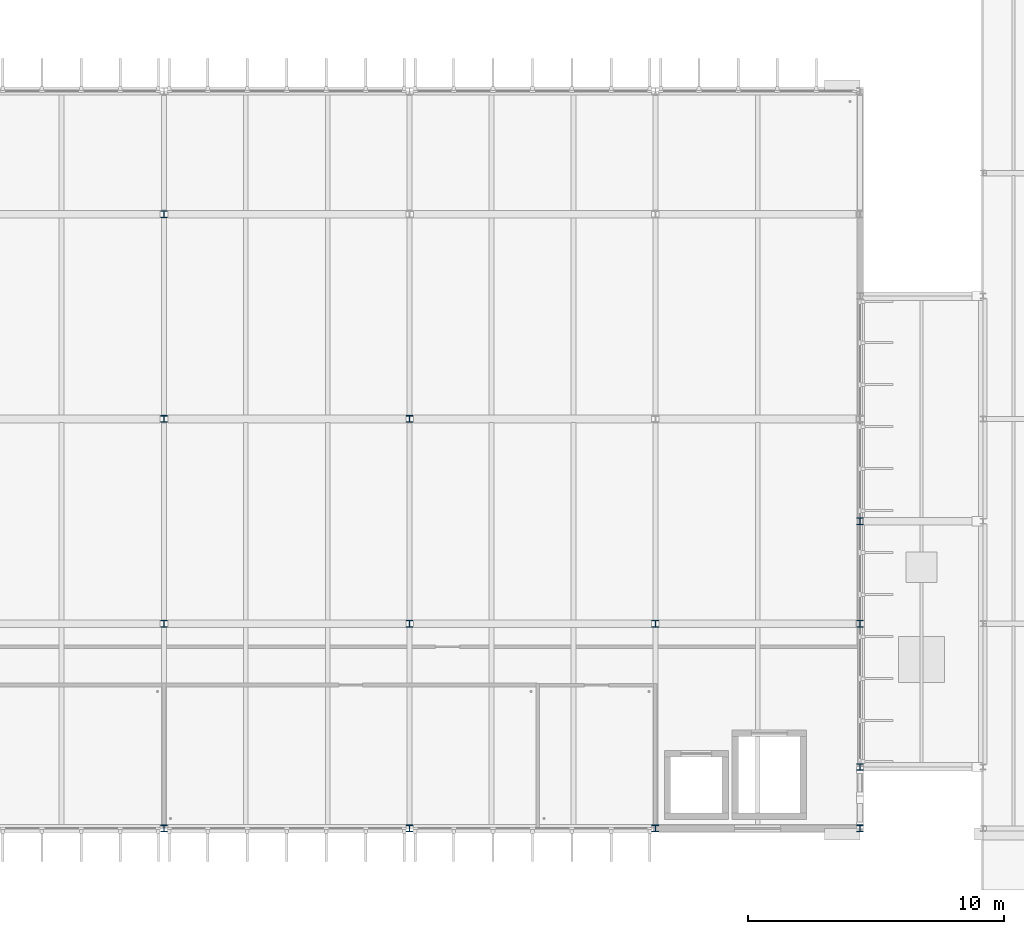
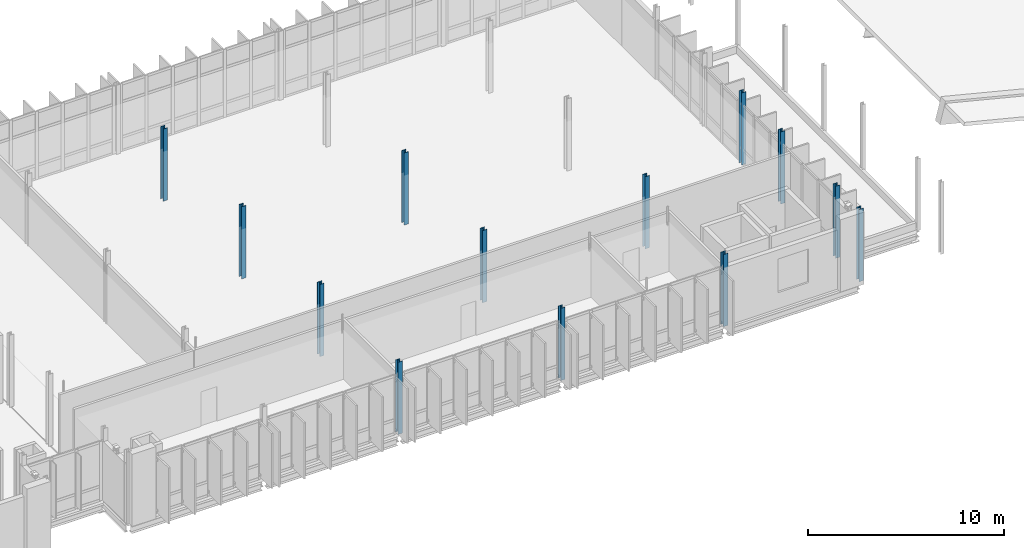
# One storey, part 7 of 93: 13 columns.
"""IFC4 building model written with IfcOpenShell, lengths in metres."""

from ifc_helpers import new_model, si_unit, direction, frame, origin, origin_2d, place, context, subcontext, project, spatial, i_section, extrude, material, material_profile, profile_set, type_object, element, save


model = new_model("IFC4")

# Units and contexts
model_context = context("Model", 3, precision=1e-05, world=origin(), true_north=direction((0.0, 1.0)))
body_context = subcontext(model_context, "Body", "Model", "MODEL_VIEW")
ifc_project = project(units=[si_unit("LENGTHUNIT", "METRE"), si_unit("AREAUNIT", "SQUARE_METRE"), si_unit("VOLUMEUNIT", "CUBIC_METRE"), si_unit("PLANEANGLEUNIT", "RADIAN"), si_unit("MASSUNIT", "GRAM", prefix="KILO")], contexts=[model_context])

# Site, building, storey
site_placement = place(None, origin())
site = spatial("IfcSite", under=ifc_project, at=site_placement, CompositionType="ELEMENT")
building_placement = place(site_placement, origin())
building = spatial("IfcBuilding", under=site, at=building_placement, Name="Dunescarp Central Library", CompositionType="ELEMENT")
storey_placement = place(building_placement, frame((0.0, 0.0, 14.10009765625)))
storey = spatial("IfcBuildingStorey", under=building, at=storey_placement, Name="L03", CompositionType="ELEMENT", Elevation=14.10009765625)

# Columns
ifc_material = material(Name="Steel S355JR", Category="steel")
ifc_material_profile_1 = material_profile(ifc_material, i_section(OverallWidth=0.26123046875, OverallDepth=0.2763671875, WebThickness=0.015380859375, FlangeThickness=0.025390625, at=origin_2d()), Name="UC 254x254x132")
ifc_profile_set_1 = profile_set([ifc_material_profile_1], Name="Steel S355JR")
column_type_1 = type_object("IfcColumnType", Name="STR-COL-UC254X132", PredefinedType="COLUMN", material=ifc_profile_set_1)
for number, where, z_axis, x_axis, name in (
    (1, (97.60009765625, 4.800048828125, 0.0), (0.0, 0.0, 1.0), (1.0, 0.0, 0.0), "L03 column V3-976-48"),
    (2, (97.60009765625, 12.800048828125, 0.0), (0.0, 0.0, 1.0), (1.0, 0.0, 0.0), "L03 column V3-976-128"),
    (3, (97.60009765625, 20.800048828125, 0.0), (0.0, 0.0, 1.0), (1.0, 0.0, 0.0), "L03 column V3-976-208"),
    (4, (97.60009765625, 28.800048828125, 0.0), (0.0, 0.0, 1.0), (1.0, 0.0, 0.0), "L03 column V3-976-288"),
    (5, (107.199951171875, 4.800048828125, 0.0), (0.0, 0.0, 1.0), (1.0, 0.0, 0.0), "L03 column V3-1072-48"),
    (6, (107.199951171875, 12.800048828125, 0.0), (0.0, 0.0, 1.0), (1.0, 0.0, 0.0), "L03 column V3-1072-128"),
    (7, (107.199951171875, 20.800048828125, 0.0), (0.0, 0.0, 1.0), (1.0, 0.0, 0.0), "L03 column V3-1072-208"),
    (8, (116.800048828125, 4.800048828125, 0.0), (0.0, 0.0, 1.0), (1.0, 0.0, 0.0), "L03 column V3-1168-48"),
    (9, (116.800048828125, 12.800048828125, 0.0), (0.0, 0.0, 1.0), (1.0, 0.0, 0.0), "L03 column V3-1168-128"),
    (10, (124.800048828125, 4.800048828125, 0.0), (0.0, 0.0, 1.0), (1.0, 0.0, 0.0), "L03 column V3-1248-48"),
    (11, (124.800048828125, 12.800048828125, 0.0), (0.0, 0.0, 1.0), (1.0, 0.0, 0.0), "L03 column V3-1248-128"),
):
    element("IfcColumn", number, at=place(storey_placement, frame(where, z_axis=z_axis, x_axis=x_axis)), inside=storey, type_object=column_type_1, Name=name, PredefinedType="COLUMN", context=body_context, shape_type="SweptSolid", body=[
        extrude(i_section(OverallWidth=0.26123046875, OverallDepth=0.2763671875, WebThickness=0.015380859375, FlangeThickness=0.025390625, at=origin_2d()), origin(), (0.0, 0.0, 1.0), 4.5),
    ])
ifc_material_profile_2 = material_profile(ifc_material, i_section(OverallWidth=0.25634765625, OverallDepth=0.26025390625, WebThickness=0.01025390625, FlangeThickness=0.017333984375, at=origin_2d()), Name="UC 254x254x89")
ifc_profile_set_2 = profile_set([ifc_material_profile_2], Name="Steel S355JR")
column_type_2 = type_object("IfcColumnType", Name="STR-COL-UC254X89", PredefinedType="COLUMN", material=ifc_profile_set_2)
for number, where, z_axis, x_axis, name in (
    (12, (124.800048828125, 7.199951171875, 0.0), (0.0, 0.0, 1.0), (1.0, 0.0, 0.0), "L03 column V3L-1248-72"),
    (13, (124.800048828125, 16.800048828125, 0.0), (0.0, 0.0, 1.0), (1.0, 0.0, 0.0), "L03 column V3L-1248-168"),
):
    element("IfcColumn", number, at=place(storey_placement, frame(where, z_axis=z_axis, x_axis=x_axis)), inside=storey, type_object=column_type_2, Name=name, PredefinedType="COLUMN", context=body_context, shape_type="SweptSolid", body=[
        extrude(i_section(OverallWidth=0.25634765625, OverallDepth=0.26025390625, WebThickness=0.01025390625, FlangeThickness=0.017333984375, at=origin_2d()), origin(), (0.0, 0.0, 1.0), 4.5),
    ])

save(model, "model.ifc")
